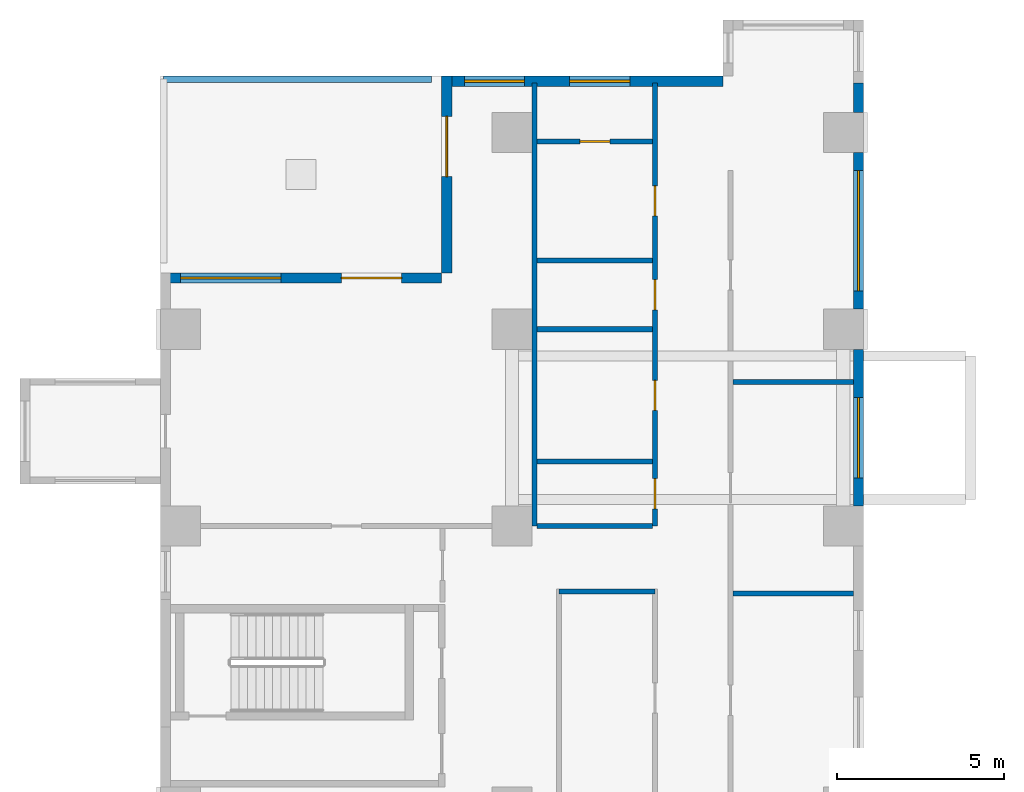
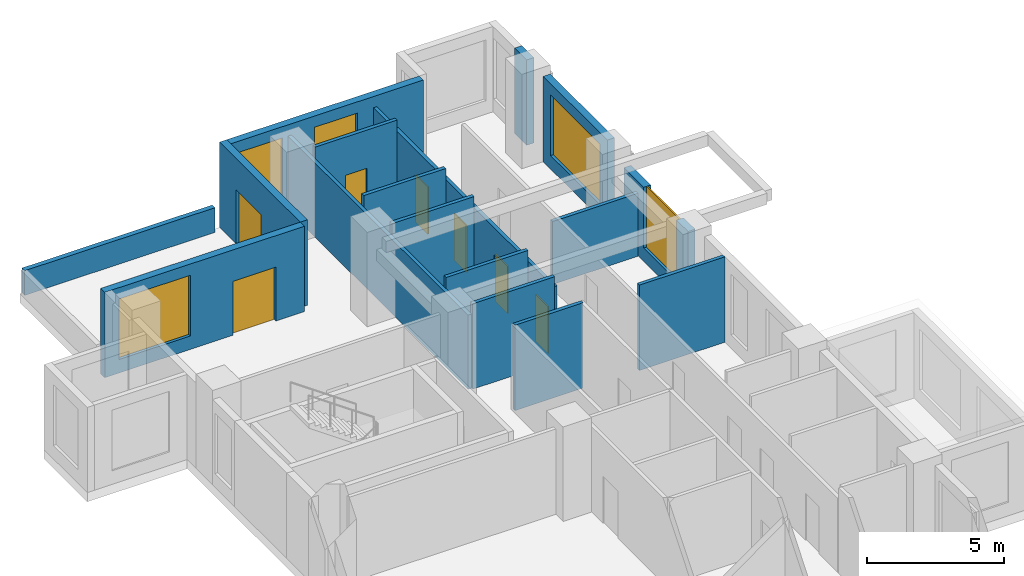
# One storey, part 8 of 15: 17 walls, 7 doors, 5 windows, 12 openings.
"""IFC4 building model written with IfcOpenShell, lengths in metres."""

from ifc_helpers import new_model, si_unit, direction, frame, frame_2d, origin, place, context, subcontext, project, spatial, rectangle, extrude, source, transform, mapped, material, layer, layer_set, type_object, element, fill, save


model = new_model("IFC4")

# Units and contexts
model_context = context("Model", 3, precision=1e-05, world=origin(), true_north=direction((0.0, 1.0)))
body_context = subcontext(model_context, "Body", "Model", "MODEL_VIEW")
ifc_project = project(units=[si_unit("LENGTHUNIT", "METRE"), si_unit("AREAUNIT", "SQUARE_METRE"), si_unit("VOLUMEUNIT", "CUBIC_METRE"), si_unit("PLANEANGLEUNIT", "RADIAN"), si_unit("MASSUNIT", "GRAM", prefix="KILO")], contexts=[model_context])

# Site, building, storey
site_placement = place(None, origin())
site = spatial("IfcSite", under=ifc_project, at=site_placement, CompositionType="ELEMENT")
building_placement = place(site_placement, origin())
building = spatial("IfcBuilding", under=site, at=building_placement, Name="Aurelian Terraces", CompositionType="ELEMENT")
storey_placement = place(building_placement, frame((0.0, 0.0, 82.5)))
storey = spatial("IfcBuildingStorey", under=building, at=storey_placement, Name="L17", CompositionType="ELEMENT", Elevation=82.5)

# Walls
ifc_material_1 = material(Name="Terracotta rainscreen cladding", Category="masonry")
ifc_layer_1 = layer(ifc_material_1, 0.2)
ifc_layer_set_1 = layer_set([ifc_layer_1], Name="PARAPET-200")
wall_type_1 = type_object("IfcWallType", Name="PARAPET-200", PredefinedType="PARAPET", material=ifc_layer_set_1)
wall_1_placement = place(storey_placement, frame((0.09, 59.55, 0.0), z_axis=(0.0, 0.0, 1.0), x_axis=(1.0, 0.0, 0.0)))
element("IfcWall", 1, at=wall_1_placement, inside=storey, type_object=wall_type_1, Name="Parapet L17 L17-X1", PredefinedType="PARAPET", context=body_context, shape_type="SweptSolid", body=[
    extrude(rectangle(XDim=8.01, YDim=0.2, at=frame_2d((4.005, 0.0))), origin(), (0.0, 0.0, 1.0), 1.1),
])
ifc_material_2 = material(Name="Gypsum board on steel studs", Category="steel")
ifc_layer_2 = layer(ifc_material_2, 0.15)
ifc_layer_set_2 = layer_set([ifc_layer_2], Name="Partition 150")
wall_type_2 = type_object("IfcWallType", Name="Partition 150", PredefinedType="PARTITIONING", material=ifc_layer_set_2)
wall_2_placement = place(storey_placement, frame((11.175, 46.2, 0.0), z_axis=(0.0, 0.0, 1.0), x_axis=(0.0, 1.0, 0.0)))
element("IfcWall", 2, at=wall_2_placement, inside=storey, type_object=wall_type_2, Name="Partition", PredefinedType="PARTITIONING", context=body_context, shape_type="SweptSolid", body=[
    extrude(rectangle(XDim=13.235, YDim=0.15, at=frame_2d((6.6175, 0.0))), origin(), (0.0, 0.0, 1.0), 3.3),
])

# Wall, opening, window
ifc_layer_3 = layer(ifc_material_1, 0.3)
ifc_layer_set_3 = layer_set([ifc_layer_3], Name="EW-300")
wall_type_3 = type_object("IfcWallType", Name="EW-300", PredefinedType="STANDARD", material=ifc_layer_set_3)
shared_shape_1 = source(origin(), body_context, "Body", "SweptSolid", [
    extrude(rectangle(XDim=4.68, YDim=0.3, at=frame_2d((2.34, 0.0))), origin(), (0.0, 0.0, 1.0), 3.8),
])
wall_3_placement = place(storey_placement, frame((20.85, 52.68, 0.0), z_axis=(0.0, 0.0, 1.0), x_axis=(0.0, 1.0, 0.0)))
wall_3 = element("IfcWall", 3, at=wall_3_placement, inside=storey, type_object=wall_type_3, Name="External wall L17 F08.26", PredefinedType="STANDARD", context=body_context, shape_type="MappedRepresentation", body=[
    mapped(shared_shape_1, transform((0.0, 0.0, 0.0), scale=1.0)),
])
shared_shape_2 = source(origin(), body_context, "Body", "SweptSolid", [
    extrude(rectangle(XDim=3.6, YDim=2.7, at=frame_2d((1.8, 1.35))), frame((0.0, 0.16, 0.0), z_axis=(0.0, -1.0, 0.0), x_axis=(1.0, 0.0, 0.0)), (0.0, 0.0, 1.0), 0.32),
])
opening_1_placement = place(wall_3_placement, frame((0.54, 0.0, 0.6)))
opening_1 = element("IfcOpeningElement", 4, at=opening_1_placement, cuts=wall_3, Name="Opening W3627", PredefinedType="OPENING", context=body_context, shape_type="MappedRepresentation", body=[
    mapped(shared_shape_2, transform((0.0, 0.0, 0.0), scale=1.0)),
])
ifc_material_3 = material(Name="Clear glazing", Category="glass")
window_type_1 = type_object("IfcWindowType", Name="W-3600x2700", PartitioningType="SINGLE_PANEL", PredefinedType="WINDOW", material=ifc_material_3)
shared_shape_3 = source(origin(), body_context, "Body", "SweptSolid", [
    extrude(rectangle(XDim=3.6, YDim=2.7, at=frame_2d((1.8, 1.35))), frame((0.0, 0.03, 0.0), z_axis=(0.0, -1.0, 0.0), x_axis=(1.0, 0.0, 0.0)), (0.0, 0.0, 1.0), 0.06),
])
window_1_placement = place(opening_1_placement, origin())
window_1 = element("IfcWindow", 5, at=window_1_placement, inside=storey, type_object=window_type_1, Name="Window L17 L17-F08-26-0", OverallHeight=2.7, OverallWidth=3.6, PartitioningType="SINGLE_PANEL", PredefinedType="WINDOW", context=body_context, shape_type="MappedRepresentation", body=[
    mapped(shared_shape_3, transform((0.0, 0.0, 0.0), scale=1.0)),
])
fill(opening_1, window_1)

# Wall, opening, door
shared_shape_4 = source(origin(), body_context, "Body", "SweptSolid", [
    extrude(rectangle(XDim=5.88, YDim=0.3, at=frame_2d((2.94, 0.0))), origin(), (0.0, 0.0, 1.0), 3.8),
])
wall_4_placement = place(storey_placement, frame((8.55, 59.64, 0.0), z_axis=(0.0, 0.0, 1.0), x_axis=(0.0, -1.0, 0.0)))
wall_4 = element("IfcWall", 6, at=wall_4_placement, inside=storey, type_object=wall_type_3, Name="External wall L17 F12.31", PredefinedType="STANDARD", context=body_context, shape_type="MappedRepresentation", body=[
    mapped(shared_shape_4, transform((0.0, 0.0, 0.0), scale=1.0)),
])
shared_shape_5 = source(origin(), body_context, "Body", "SweptSolid", [
    extrude(rectangle(XDim=1.8, YDim=2.4, at=frame_2d((0.9, 1.2))), frame((0.0, 0.16, 0.0), z_axis=(0.0, -1.0, 0.0), x_axis=(1.0, 0.0, 0.0)), (0.0, 0.0, 1.0), 0.32),
])
opening_2_placement = place(wall_4_placement, frame((1.2, 0.0, 0.0)))
opening_2 = element("IfcOpeningElement", 7, at=opening_2_placement, cuts=wall_4, Name="Opening 81702", PredefinedType="OPENING", context=body_context, shape_type="MappedRepresentation", body=[
    mapped(shared_shape_5, transform((0.0, 0.0, 0.0), scale=1.0)),
])
door_type_1 = type_object("IfcDoorType", Name="BD-1800x2400", OperationType="SLIDING_TO_LEFT", PredefinedType="DOOR", material=ifc_material_3)
shared_shape_6 = source(origin(), body_context, "Body", "SweptSolid", [
    extrude(rectangle(XDim=1.8, YDim=2.4, at=frame_2d((0.9, 1.2))), frame((0.0, 0.025, 0.0), z_axis=(0.0, -1.0, 0.0), x_axis=(1.0, 0.0, 0.0)), (0.0, 0.0, 1.0), 0.05),
])
door_1_placement = place(opening_2_placement, origin())
door_1 = element("IfcDoor", 8, at=door_1_placement, inside=storey, type_object=door_type_1, Name="Terrace door L17 L17-F12-31.1", OperationType="SLIDING_TO_LEFT", OverallHeight=2.4, OverallWidth=1.8, PredefinedType="DOOR", context=body_context, shape_type="MappedRepresentation", body=[
    mapped(shared_shape_6, transform((0.0, 0.0, 0.0), scale=1.0)),
])
fill(opening_2, door_1)

# Wall, opening, window
shared_shape_7 = source(origin(), body_context, "Body", "SweptSolid", [
    extrude(rectangle(XDim=4.68, YDim=0.3, at=frame_2d((2.34, 0.0))), origin(), (0.0, 0.0, 1.0), 3.3),
])
wall_5_placement = place(storey_placement, frame((20.85, 46.8, 0.0), z_axis=(0.0, 0.0, 1.0), x_axis=(0.0, 1.0, 0.0)))
wall_5 = element("IfcWall", 9, at=wall_5_placement, inside=storey, type_object=wall_type_3, Name="External wall L17 F08.25", PredefinedType="STANDARD", context=body_context, shape_type="MappedRepresentation", body=[
    mapped(shared_shape_7, transform((0.0, 0.0, 0.0), scale=1.0)),
])
shared_shape_8 = source(origin(), body_context, "Body", "SweptSolid", [
    extrude(rectangle(XDim=2.4, YDim=2.7, at=frame_2d((1.2, 1.35))), frame((0.0, 0.16, 0.0), z_axis=(0.0, -1.0, 0.0), x_axis=(1.0, 0.0, 0.0)), (0.0, 0.0, 1.0), 0.32),
])
opening_3_placement = place(wall_5_placement, frame((0.835, 0.0, 0.6)))
opening_3 = element("IfcOpeningElement", 10, at=opening_3_placement, cuts=wall_5, Name="Opening W2427", PredefinedType="OPENING", context=body_context, shape_type="MappedRepresentation", body=[
    mapped(shared_shape_8, transform((0.0, 0.0, 0.0), scale=1.0)),
])
window_type_2 = type_object("IfcWindowType", Name="W-2400x2700", PartitioningType="SINGLE_PANEL", PredefinedType="WINDOW", material=ifc_material_3)
shared_shape_9 = source(origin(), body_context, "Body", "SweptSolid", [
    extrude(rectangle(XDim=2.4, YDim=2.7, at=frame_2d((1.2, 1.35))), frame((0.0, 0.03, 0.0), z_axis=(0.0, -1.0, 0.0), x_axis=(1.0, 0.0, 0.0)), (0.0, 0.0, 1.0), 0.06),
])
window_2_placement = place(opening_3_placement, origin())
window_2 = element("IfcWindow", 11, at=window_2_placement, inside=storey, type_object=window_type_2, Name="Window L17 L17-F08-25-0", OverallHeight=2.7, OverallWidth=2.4, PartitioningType="SINGLE_PANEL", PredefinedType="WINDOW", context=body_context, shape_type="MappedRepresentation", body=[
    mapped(shared_shape_9, transform((0.0, 0.0, 0.0), scale=1.0)),
])
fill(opening_3, window_2)

# Wall, openings, windows
shared_shape_10 = source(origin(), body_context, "Body", "SweptSolid", [
    extrude(rectangle(XDim=8.4, YDim=0.3, at=frame_2d((4.2, 0.0))), origin(), (0.0, 0.0, 1.0), 3.8),
])
wall_6_placement = place(storey_placement, frame((16.8, 59.49, 0.0), z_axis=(0.0, 0.0, 1.0), x_axis=(-1.0, 0.0, 0.0)))
wall_6 = element("IfcWall", 12, at=wall_6_placement, inside=storey, type_object=wall_type_3, Name="External wall L17 F11.30", PredefinedType="STANDARD", context=body_context, shape_type="MappedRepresentation", body=[
    mapped(shared_shape_10, transform((0.0, 0.0, 0.0), scale=1.0)),
])
shared_shape_11 = source(origin(), body_context, "Body", "SweptSolid", [
    extrude(rectangle(XDim=1.8, YDim=2.7, at=frame_2d((0.9, 1.35))), frame((0.0, 0.16, 0.0), z_axis=(0.0, -1.0, 0.0), x_axis=(1.0, 0.0, 0.0)), (0.0, 0.0, 1.0), 0.32),
])
opening_4_placement = place(wall_6_placement, frame((2.775, 0.0, 0.6)))
opening_4 = element("IfcOpeningElement", 13, at=opening_4_placement, cuts=wall_6, Name="Opening W1827", PredefinedType="OPENING", context=body_context, shape_type="MappedRepresentation", body=[
    mapped(shared_shape_11, transform((0.0, 0.0, 0.0), scale=1.0)),
])
opening_5_placement = place(wall_6_placement, frame((5.925, 0.0, 0.6)))
opening_5 = element("IfcOpeningElement", 14, at=opening_5_placement, cuts=wall_6, Name="Opening W1827", PredefinedType="OPENING", context=body_context, shape_type="MappedRepresentation", body=[
    mapped(shared_shape_11, transform((0.0, 0.0, 0.0), scale=1.0)),
])
window_type_3 = type_object("IfcWindowType", Name="W-1800x2700", PartitioningType="SINGLE_PANEL", PredefinedType="WINDOW", material=ifc_material_3)
shared_shape_12 = source(origin(), body_context, "Body", "SweptSolid", [
    extrude(rectangle(XDim=1.8, YDim=2.7, at=frame_2d((0.9, 1.35))), frame((0.0, 0.03, 0.0), z_axis=(0.0, -1.0, 0.0), x_axis=(1.0, 0.0, 0.0)), (0.0, 0.0, 1.0), 0.06),
])
window_3_placement = place(opening_4_placement, origin())
window_3 = element("IfcWindow", 15, at=window_3_placement, inside=storey, type_object=window_type_3, Name="Window L17 L17-F11-30-1", OverallHeight=2.7, OverallWidth=1.8, PartitioningType="SINGLE_PANEL", PredefinedType="WINDOW", context=body_context, shape_type="MappedRepresentation", body=[
    mapped(shared_shape_12, transform((0.0, 0.0, 0.0), scale=1.0)),
])
fill(opening_4, window_3)
window_4_placement = place(opening_5_placement, origin())
window_4 = element("IfcWindow", 16, at=window_4_placement, inside=storey, type_object=window_type_3, Name="Window L17 L17-F11-30-2", OverallHeight=2.7, OverallWidth=1.8, PartitioningType="SINGLE_PANEL", PredefinedType="WINDOW", context=body_context, shape_type="MappedRepresentation", body=[
    mapped(shared_shape_12, transform((0.0, 0.0, 0.0), scale=1.0)),
])
fill(opening_5, window_4)

# Wall, openings, door, window
wall_7_placement = place(storey_placement, frame((8.4, 53.61, 0.0), z_axis=(0.0, 0.0, 1.0), x_axis=(-1.0, 0.0, 0.0)))
wall_7 = element("IfcWall", 17, at=wall_7_placement, inside=storey, type_object=wall_type_3, Name="External wall L17 F13.32", PredefinedType="STANDARD", context=body_context, shape_type="MappedRepresentation", body=[
    mapped(shared_shape_10, transform((0.0, 0.0, 0.0), scale=1.0)),
])
opening_6_placement = place(wall_7_placement, frame((1.2, 0.0, 0.0)))
opening_6 = element("IfcOpeningElement", 18, at=opening_6_placement, cuts=wall_7, Name="Opening 81703", PredefinedType="OPENING", context=body_context, shape_type="MappedRepresentation", body=[
    mapped(shared_shape_5, transform((0.0, 0.0, 0.0), scale=1.0)),
])
shared_shape_13 = source(origin(), body_context, "Body", "SweptSolid", [
    extrude(rectangle(XDim=3.0, YDim=2.7, at=frame_2d((1.5, 1.35))), frame((0.0, 0.16, 0.0), z_axis=(0.0, -1.0, 0.0), x_axis=(1.0, 0.0, 0.0)), (0.0, 0.0, 1.0), 0.32),
])
opening_7_placement = place(wall_7_placement, frame((4.8, 0.0, 0.6)))
opening_7 = element("IfcOpeningElement", 19, at=opening_7_placement, cuts=wall_7, Name="Opening W3027", PredefinedType="OPENING", context=body_context, shape_type="MappedRepresentation", body=[
    mapped(shared_shape_13, transform((0.0, 0.0, 0.0), scale=1.0)),
])
door_2_placement = place(opening_6_placement, origin())
door_2 = element("IfcDoor", 20, at=door_2_placement, inside=storey, type_object=door_type_1, Name="Terrace door L17 L17-F13-32.1", OperationType="SLIDING_TO_LEFT", OverallHeight=2.4, OverallWidth=1.8, PredefinedType="DOOR", context=body_context, shape_type="MappedRepresentation", body=[
    mapped(shared_shape_6, transform((0.0, 0.0, 0.0), scale=1.0)),
])
fill(opening_6, door_2)
window_type_4 = type_object("IfcWindowType", Name="W-3000x2700", PartitioningType="SINGLE_PANEL", PredefinedType="WINDOW", material=ifc_material_3)
shared_shape_14 = source(origin(), body_context, "Body", "SweptSolid", [
    extrude(rectangle(XDim=3.0, YDim=2.7, at=frame_2d((1.5, 1.35))), frame((0.0, 0.03, 0.0), z_axis=(0.0, -1.0, 0.0), x_axis=(1.0, 0.0, 0.0)), (0.0, 0.0, 1.0), 0.06),
])
window_5_placement = place(opening_7_placement, origin())
window_5 = element("IfcWindow", 21, at=window_5_placement, inside=storey, type_object=window_type_4, Name="Window L17 L17-F13-32-1", OverallHeight=2.7, OverallWidth=3.0, PartitioningType="SINGLE_PANEL", PredefinedType="WINDOW", context=body_context, shape_type="MappedRepresentation", body=[
    mapped(shared_shape_14, transform((0.0, 0.0, 0.0), scale=1.0)),
])
fill(opening_7, window_5)

# Walls
shared_shape_15 = source(origin(), body_context, "Body", "SweptSolid", [
    extrude(rectangle(XDim=0.88, YDim=0.3, at=frame_2d((0.44, 0.0))), origin(), (0.0, 0.0, 1.0), 3.8),
])
wall_8_placement = place(storey_placement, frame((20.85, 58.56, 0.0), z_axis=(0.0, 0.0, 1.0), x_axis=(0.0, 1.0, 0.0)))
element("IfcWall", 22, at=wall_8_placement, inside=storey, type_object=wall_type_3, Name="External wall L17 F08.27", PredefinedType="STANDARD", context=body_context, shape_type="MappedRepresentation", body=[
    mapped(shared_shape_15, transform((0.0, 0.0, 0.0), scale=1.0)),
])
shared_shape_16 = source(origin(), body_context, "Body", "SweptSolid", [
    extrude(rectangle(XDim=3.6, YDim=0.15, at=frame_2d((1.8, 0.0))), origin(), (0.0, 0.0, 1.0), 3.8),
])
wall_9_placement = place(storey_placement, frame((17.1, 44.19, 0.0), z_axis=(0.0, 0.0, 1.0), x_axis=(1.0, 0.0, 0.0)))
element("IfcWall", 23, at=wall_9_placement, inside=storey, type_object=wall_type_2, Name="Partition", PredefinedType="PARTITIONING", context=body_context, shape_type="MappedRepresentation", body=[
    mapped(shared_shape_16, transform((0.0, 0.0, 0.0), scale=1.0)),
])
shared_shape_17 = source(origin(), body_context, "Body", "SweptSolid", [
    extrude(rectangle(XDim=3.6, YDim=0.15, at=frame_2d((1.8, 0.0))), origin(), (0.0, 0.0, 1.0), 2.8),
])
wall_10_placement = place(storey_placement, frame((17.1, 50.505, 0.0), z_axis=(0.0, 0.0, 1.0), x_axis=(1.0, 0.0, 0.0)))
element("IfcWall", 24, at=wall_10_placement, inside=storey, type_object=wall_type_2, Name="Partition", PredefinedType="PARTITIONING", context=body_context, shape_type="MappedRepresentation", body=[
    mapped(shared_shape_17, transform((0.0, 0.0, 0.0), scale=1.0)),
])
shared_shape_18 = source(origin(), body_context, "Body", "SweptSolid", [
    extrude(rectangle(XDim=3.45, YDim=0.15, at=frame_2d((1.725, 0.0))), origin(), (0.0, 0.0, 1.0), 3.8),
])
for number, where, z_axis, x_axis, name in (
    (25, (14.7, 48.1323, 0.0), (0.0, 0.0, 1.0), (-1.0, 0.0, 0.0), "Partition"),
    (26, (14.7, 52.08, 0.0), (0.0, 0.0, 1.0), (-1.0, 0.0, 0.0), "Partition"),
    (27, (14.7, 54.1407, 0.0), (0.0, 0.0, 1.0), (-1.0, 0.0, 0.0), "Partition"),
):
    element("IfcWall", number, at=place(storey_placement, frame(where, z_axis=z_axis, x_axis=x_axis)), inside=storey, type_object=wall_type_2, Name=name, PredefinedType="PARTITIONING", context=body_context, shape_type="MappedRepresentation", body=[
        mapped(shared_shape_18, transform((0.0, 0.0, 0.0), scale=1.0)),
    ])

# Wall, opening, door
wall_11_placement = place(storey_placement, frame((14.7, 57.6893, 0.0), z_axis=(0.0, 0.0, 1.0), x_axis=(-1.0, 0.0, 0.0)))
wall_11 = element("IfcWall", 28, at=wall_11_placement, inside=storey, type_object=wall_type_2, Name="Partition", PredefinedType="PARTITIONING", context=body_context, shape_type="MappedRepresentation", body=[
    mapped(shared_shape_18, transform((0.0, 0.0, 0.0), scale=1.0)),
])
shared_shape_19 = source(origin(), body_context, "Body", "SweptSolid", [
    extrude(rectangle(XDim=0.9, YDim=2.1, at=frame_2d((0.45, 1.05))), frame((0.0, 0.085, 0.0), z_axis=(0.0, -1.0, 0.0), x_axis=(1.0, 0.0, 0.0)), (0.0, 0.0, 1.0), 0.17),
])
opening_8_placement = place(wall_11_placement, frame((1.275, 0.0, 0.0)))
opening_8 = element("IfcOpeningElement", 29, at=opening_8_placement, cuts=wall_11, Name="Opening 717050", PredefinedType="OPENING", context=body_context, shape_type="MappedRepresentation", body=[
    mapped(shared_shape_19, transform((0.0, 0.0, 0.0), scale=1.0)),
])
ifc_material_4 = material(Name="Timber door leaf", Category="wood")
door_type_2 = type_object("IfcDoorType", Name="Room door 900x2100 left", OperationType="SINGLE_SWING_LEFT", PredefinedType="DOOR", material=ifc_material_4)
shared_shape_20 = source(origin(), body_context, "Body", "SweptSolid", [
    extrude(rectangle(XDim=0.9, YDim=2.1, at=frame_2d((0.45, 1.05))), frame((0.0, 0.025, 0.0), z_axis=(0.0, -1.0, 0.0), x_axis=(1.0, 0.0, 0.0)), (0.0, 0.0, 1.0), 0.05),
])
door_3_placement = place(opening_8_placement, origin())
door_3 = element("IfcDoor", 30, at=door_3_placement, inside=storey, type_object=door_type_2, Name="Door 717050", OperationType="SINGLE_SWING_LEFT", OverallHeight=2.1, OverallWidth=0.9, PredefinedType="DOOR", context=body_context, shape_type="MappedRepresentation", body=[
    mapped(shared_shape_20, transform((0.0, 0.0, 0.0), scale=1.0)),
])
fill(opening_8, door_3)

# Walls
wall_12_placement = place(storey_placement, frame((14.7, 46.2, 0.0), z_axis=(0.0, 0.0, 1.0), x_axis=(-1.0, 0.0, 0.0)))
element("IfcWall", 31, at=wall_12_placement, inside=storey, type_object=wall_type_2, Name="Partition", PredefinedType="PARTITIONING", context=body_context, shape_type="MappedRepresentation", body=[
    mapped(shared_shape_18, transform((0.0, 0.0, 0.0), scale=1.0)),
])
shared_shape_21 = source(origin(), body_context, "Body", "SweptSolid", [
    extrude(rectangle(XDim=2.875, YDim=0.15, at=frame_2d((1.4375, 0.0))), origin(), (0.0, 0.0, 1.0), 3.8),
])
wall_13_placement = place(storey_placement, frame((14.775, 44.25, 0.0), z_axis=(0.0, 0.0, 1.0), x_axis=(-1.0, 0.0, 0.0)))
element("IfcWall", 32, at=wall_13_placement, inside=storey, type_object=wall_type_2, Name="Partition", PredefinedType="PARTITIONING", context=body_context, shape_type="MappedRepresentation", body=[
    mapped(shared_shape_21, transform((0.0, 0.0, 0.0), scale=1.0)),
])

# Wall, openings, doors
ifc_layer_4 = layer(ifc_material_2, 0.15)
ifc_layer_set_4 = layer_set([ifc_layer_4], Name="Fire partition 150")
wall_type_4 = type_object("IfcWallType", Name="Fire partition 150", PredefinedType="PARTITIONING", material=ifc_layer_set_4)
shared_shape_22 = source(origin(), body_context, "Body", "SweptSolid", [
    extrude(rectangle(XDim=13.235, YDim=0.15, at=frame_2d((6.6175, 0.0))), origin(), (0.0, 0.0, 1.0), 3.3),
])
wall_14_placement = place(storey_placement, frame((14.775, 46.2, 0.0), z_axis=(0.0, 0.0, 1.0), x_axis=(0.0, 1.0, 0.0)))
wall_14 = element("IfcWall", 33, at=wall_14_placement, inside=storey, type_object=wall_type_4, Name="Corridor wall", PredefinedType="PARTITIONING", context=body_context, shape_type="MappedRepresentation", body=[
    mapped(shared_shape_22, transform((0.0, 0.0, 0.0), scale=1.0)),
])
opening_9_placement = place(wall_14_placement, frame((0.5162, 0.0, 0.0)))
opening_9 = element("IfcOpeningElement", 34, at=opening_9_placement, cuts=wall_14, Name="Opening 717038", PredefinedType="OPENING", context=body_context, shape_type="MappedRepresentation", body=[
    mapped(shared_shape_19, transform((0.0, 0.0, 0.0), scale=1.0)),
])
opening_10_placement = place(wall_14_placement, frame((3.4562, 0.0, 0.0)))
opening_10 = element("IfcOpeningElement", 35, at=opening_10_placement, cuts=wall_14, Name="Opening 717039", PredefinedType="OPENING", context=body_context, shape_type="MappedRepresentation", body=[
    mapped(shared_shape_19, transform((0.0, 0.0, 0.0), scale=1.0)),
])
opening_11_placement = place(wall_14_placement, frame((6.4603, 0.0, 0.0)))
opening_11 = element("IfcOpeningElement", 36, at=opening_11_placement, cuts=wall_14, Name="Opening 717040", PredefinedType="OPENING", context=body_context, shape_type="MappedRepresentation", body=[
    mapped(shared_shape_19, transform((0.0, 0.0, 0.0), scale=1.0)),
])
opening_12_placement = place(wall_14_placement, frame((9.265, 0.0, 0.0)))
opening_12 = element("IfcOpeningElement", 37, at=opening_12_placement, cuts=wall_14, Name="Opening 717041", PredefinedType="OPENING", context=body_context, shape_type="MappedRepresentation", body=[
    mapped(shared_shape_19, transform((0.0, 0.0, 0.0), scale=1.0)),
])
door_type_3 = type_object("IfcDoorType", Name="Room door 900x2100 right", OperationType="SINGLE_SWING_RIGHT", PredefinedType="DOOR", material=ifc_material_4)
door_4_placement = place(opening_9_placement, origin())
door_4 = element("IfcDoor", 38, at=door_4_placement, inside=storey, type_object=door_type_3, Name="Door 717038", OperationType="SINGLE_SWING_RIGHT", OverallHeight=2.1, OverallWidth=0.9, PredefinedType="DOOR", context=body_context, shape_type="MappedRepresentation", body=[
    mapped(shared_shape_20, transform((0.0, 0.0, 0.0), scale=1.0)),
])
fill(opening_9, door_4)
door_5_placement = place(opening_10_placement, origin())
door_5 = element("IfcDoor", 39, at=door_5_placement, inside=storey, type_object=door_type_2, Name="Door 717039", OperationType="SINGLE_SWING_LEFT", OverallHeight=2.1, OverallWidth=0.9, PredefinedType="DOOR", context=body_context, shape_type="MappedRepresentation", body=[
    mapped(shared_shape_20, transform((0.0, 0.0, 0.0), scale=1.0)),
])
fill(opening_10, door_5)
door_6_placement = place(opening_11_placement, origin())
door_6 = element("IfcDoor", 40, at=door_6_placement, inside=storey, type_object=door_type_3, Name="Door 717040", OperationType="SINGLE_SWING_RIGHT", OverallHeight=2.1, OverallWidth=0.9, PredefinedType="DOOR", context=body_context, shape_type="MappedRepresentation", body=[
    mapped(shared_shape_20, transform((0.0, 0.0, 0.0), scale=1.0)),
])
fill(opening_11, door_6)
door_7_placement = place(opening_12_placement, origin())
door_7 = element("IfcDoor", 41, at=door_7_placement, inside=storey, type_object=door_type_2, Name="Door 717041", OperationType="SINGLE_SWING_LEFT", OverallHeight=2.1, OverallWidth=0.9, PredefinedType="DOOR", context=body_context, shape_type="MappedRepresentation", body=[
    mapped(shared_shape_20, transform((0.0, 0.0, 0.0), scale=1.0)),
])
fill(opening_12, door_7)

save(model, "model.ifc")
